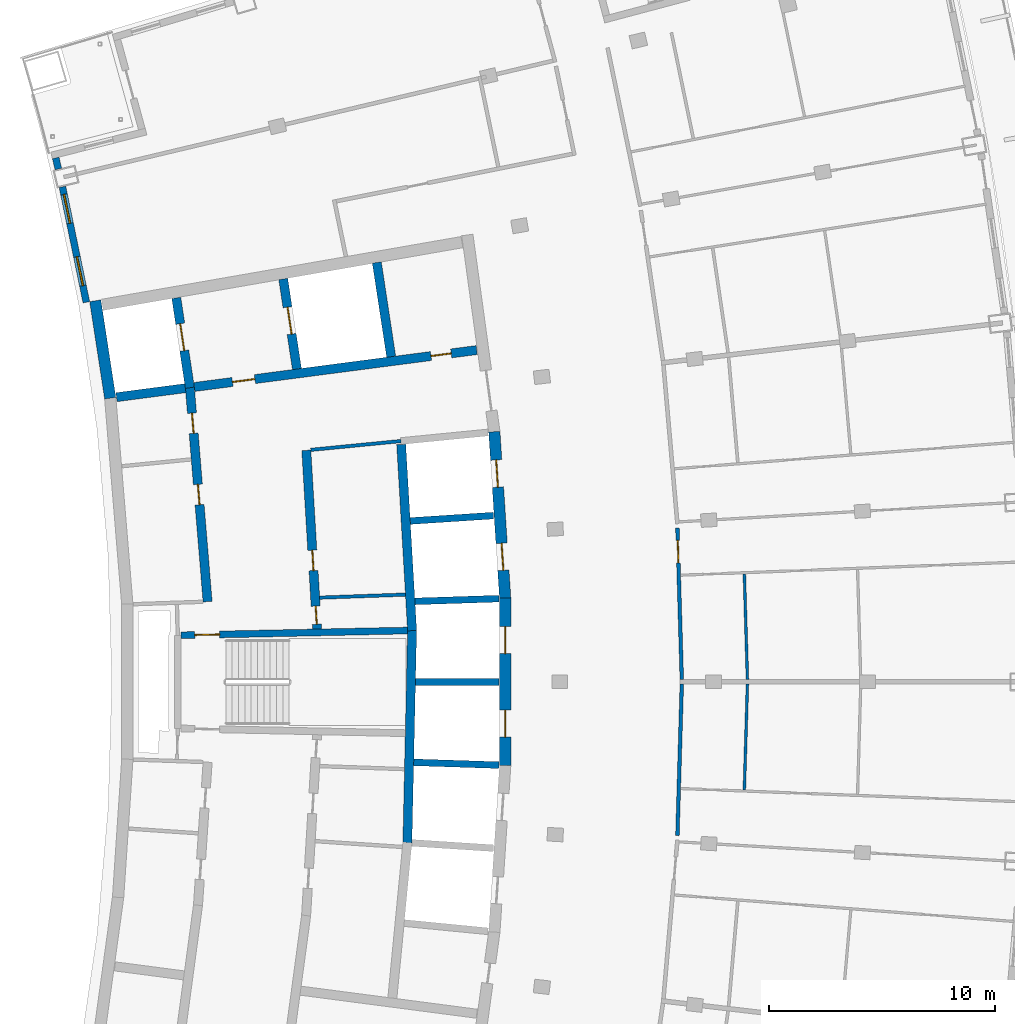
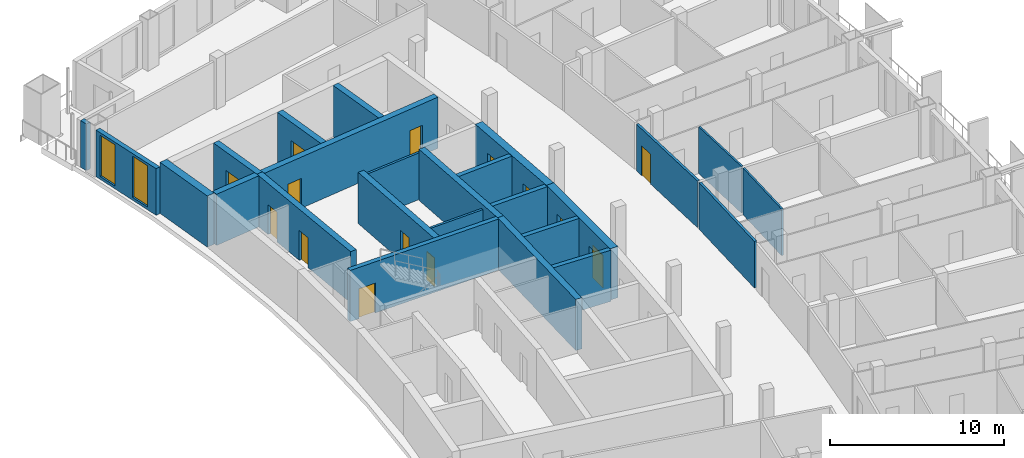
# One storey, part 10 of 17: 25 walls, 14 doors, 2 windows, 16 openings.
"""IFC4 building model written with IfcOpenShell, lengths in metres."""

from ifc_helpers import new_model, si_unit, direction, frame, frame_2d, origin, place, context, subcontext, project, spatial, rectangle, extrude, material, layer, layer_set, type_object, element, fill, save


model = new_model("IFC4")

# Units and contexts
model_context = context("Model", 3, precision=1e-05, world=origin(), true_north=direction((0.0, 1.0)))
body_context = subcontext(model_context, "Body", "Model", "MODEL_VIEW")
ifc_project = project(units=[si_unit("LENGTHUNIT", "METRE"), si_unit("AREAUNIT", "SQUARE_METRE"), si_unit("VOLUMEUNIT", "CUBIC_METRE"), si_unit("PLANEANGLEUNIT", "RADIAN"), si_unit("MASSUNIT", "GRAM", prefix="KILO")], contexts=[model_context])

# Site, building, storey
site_placement = place(None, origin())
site = spatial("IfcSite", under=ifc_project, at=site_placement, CompositionType="ELEMENT")
building_placement = place(site_placement, origin())
building = spatial("IfcBuilding", under=site, at=building_placement, Name="Alderwake Tower", CompositionType="ELEMENT")
storey_placement = place(building_placement, frame((0.0, 0.0, 270.800048828125)))
storey = spatial("IfcBuildingStorey", under=building, at=storey_placement, Name="L67", CompositionType="ELEMENT", Elevation=270.800048828125)

# Walls
ifc_material_1 = material(Name="Gypsum shaft wall system, rated")
ifc_layer_1 = layer(ifc_material_1, 0.14990234375)
ifc_layer_set_1 = layer_set([ifc_layer_1], Name="Core riser partition 150")
wall_type_1 = type_object("IfcWallType", Name="Core riser partition 150", PredefinedType="PARTITIONING", material=ifc_layer_set_1)
wall_1_placement = place(storey_placement, frame((25.191162109375, 64.723388671875, 0.0), z_axis=(0.0, 0.0, 1.0), x_axis=(0.999373627871, 0.035388584556, 0.0)))
element("IfcWall", 1, at=wall_1_placement, inside=storey, type_object=wall_type_1, Name="CW/L67/PR+37_+86", PredefinedType="PARTITIONING", context=body_context, shape_type="SweptSolid", body=[
    extrude(rectangle(XDim=3.79443359375, YDim=0.14990234375, at=frame_2d((1.897216796875, 0.0))), origin(), (0.0, 0.0, 1.0), 3.280029296875),
])
ifc_material_2 = material(Name="Gypsum shaft wall system, rated")
ifc_layer_2 = layer(ifc_material_2, 0.14990234375)
ifc_layer_set_2 = layer_set([ifc_layer_2], Name="Core room partition 150")
wall_type_2 = type_object("IfcWallType", Name="Core room partition 150", PredefinedType="PARTITIONING", material=ifc_layer_set_2)
wall_2_placement = place(storey_placement, frame((24.799560546875, 71.2548828125, 0.0), z_axis=(0.0, 0.0, 1.0), x_axis=(0.995250000627, 0.097352125046, 0.0)))
element("IfcWall", 2, at=wall_2_placement, inside=storey, type_object=wall_type_2, Name="CW/L67/PR+102_+86", PredefinedType="PARTITIONING", context=body_context, shape_type="SweptSolid", body=[
    extrude(rectangle(XDim=4.0, YDim=0.14990234375, at=frame_2d((2.0, 0.0))), origin(), (0.0, 0.0, 1.0), 3.280029296875),
])
ifc_material_3 = material(Name="Concrete C70/85", Category="concrete")
ifc_layer_3 = layer(ifc_material_3, 0.5)
ifc_layer_set_3 = layer_set([ifc_layer_3], Name="Core wall outer 500 C70-85")
wall_type_3 = type_object("IfcWallType", Name="Core wall outer 500 C70-85", PredefinedType="SHEAR", material=ifc_layer_set_3)
wall_3_placement = place(storey_placement, frame((15.934326171875, 73.5380859375, 0.0), z_axis=(0.0, 0.0, 1.0), x_axis=(-0.151947718368, 0.988388532351, 0.0)))
element("IfcWall", 3, at=wall_3_placement, inside=storey, type_object=wall_type_3, Name="Core wall CW.025", PredefinedType="SHEAR", context=body_context, shape_type="SweptSolid", body=[
    extrude(rectangle(XDim=4.357421875, YDim=0.5, at=frame_2d((2.1787109375, 0.0))), origin(), (0.0, 0.0, 1.0), 3.599853515625),
])

# Wall, openings, doors
wall_4_placement = place(storey_placement, frame((33.389892578125, 57.30322265625, 0.0), z_axis=(0.0, 0.0, 1.0), x_axis=(0.0, 1.0, 0.0)))
wall_4 = element("IfcWall", 4, at=wall_4_placement, inside=storey, type_object=wall_type_3, Name="Core wall CW.023", PredefinedType="SHEAR", context=body_context, shape_type="SweptSolid", body=[
    extrude(rectangle(XDim=7.3935546875, YDim=0.5, at=frame_2d((3.69677734375, 0.0))), origin(), (0.0, 0.0, 1.0), 3.599853515625),
])
opening_1_placement = place(wall_4_placement, frame((1.25244140625, 0.0, 0.0)))
opening_1 = element("IfcOpeningElement", 5, at=opening_1_placement, cuts=wall_4, Name="Opening LD-HP3", PredefinedType="OPENING", context=body_context, shape_type="SweptSolid", body=[
    extrude(rectangle(XDim=1.199951171875, YDim=2.300048828125, at=frame_2d((0.60009765625, 1.14990234375))), frame((0.0, 0.260009765625, 0.0), z_axis=(0.0, -1.0, 0.0), x_axis=(1.0, 0.0, 0.0)), (0.0, 0.0, 1.0), 0.52001953125),
])
opening_2_placement = place(wall_4_placement, frame((4.94091796875, 0.0, 0.0)))
opening_2 = element("IfcOpeningElement", 6, at=opening_2_placement, cuts=wall_4, Name="Opening LD-HP4", PredefinedType="OPENING", context=body_context, shape_type="SweptSolid", body=[
    extrude(rectangle(XDim=1.199951171875, YDim=2.300048828125, at=frame_2d((0.60009765625, 1.14990234375))), frame((0.0, 0.260009765625, 0.0), z_axis=(0.0, -1.0, 0.0), x_axis=(1.0, 0.0, 0.0)), (0.0, 0.0, 1.0), 0.52001953125),
])
ifc_material_4 = material(Name="Stainless steel sliding leaf", Category="steel")
door_type_1 = type_object("IfcDoorType", Name="Lift landing door 1200", OperationType="SLIDING_TO_LEFT", PredefinedType="DOOR", material=ifc_material_4)
door_1_placement = place(opening_1_placement, origin())
door_1 = element("IfcDoor", 7, at=door_1_placement, inside=storey, type_object=door_type_1, Name="Lift landing door HP3", OperationType="SLIDING_TO_LEFT", OverallHeight=2.300048828125, OverallWidth=1.199951171875, PredefinedType="DOOR", context=body_context, shape_type="SweptSolid", body=[
    extrude(rectangle(XDim=1.199951171875, YDim=2.300048828125, at=frame_2d((0.60009765625, 1.14990234375))), frame((0.0, 0.02490234375, 0.0), z_axis=(0.0, -1.0, 0.0), x_axis=(1.0, 0.0, 0.0)), (0.0, 0.0, 1.0), 0.050048828125),
])
fill(opening_1, door_1)
door_2_placement = place(opening_2_placement, origin())
door_2 = element("IfcDoor", 8, at=door_2_placement, inside=storey, type_object=door_type_1, Name="Lift landing door HP4", OperationType="SLIDING_TO_LEFT", OverallHeight=2.300048828125, OverallWidth=1.199951171875, PredefinedType="DOOR", context=body_context, shape_type="SweptSolid", body=[
    extrude(rectangle(XDim=1.199951171875, YDim=2.300048828125, at=frame_2d((0.60009765625, 1.14990234375))), frame((0.0, 0.02490234375, 0.0), z_axis=(0.0, -1.0, 0.0), x_axis=(1.0, 0.0, 0.0)), (0.0, 0.0, 1.0), 0.050048828125),
])
fill(opening_2, door_2)

wall_5_placement = place(storey_placement, frame((33.390625, 64.679443359375, 0.0), z_axis=(0.0, 0.0, 1.0), x_axis=(-0.064980500916, 0.997886533881, 0.0)))
wall_5 = element("IfcWall", 9, at=wall_5_placement, inside=storey, type_object=wall_type_3, Name="Core wall CW.020", PredefinedType="SHEAR", context=body_context, shape_type="SweptSolid", body=[
    extrude(rectangle(XDim=7.39404296875, YDim=0.5, at=frame_2d((3.697021484375, 0.0))), origin(), (0.0, 0.0, 1.0), 3.599853515625),
])
opening_3_placement = place(wall_5_placement, frame((1.25244140625, 0.0, 0.0)))
opening_3 = element("IfcOpeningElement", 10, at=opening_3_placement, cuts=wall_5, Name="Opening LD-HP5", PredefinedType="OPENING", context=body_context, shape_type="SweptSolid", body=[
    extrude(rectangle(XDim=1.199951171875, YDim=2.300048828125, at=frame_2d((0.60009765625, 1.14990234375))), frame((0.0, 0.260009765625, 0.0), z_axis=(0.0, -1.0, 0.0), x_axis=(1.0, 0.0, 0.0)), (0.0, 0.0, 1.0), 0.52001953125),
])
opening_4_placement = place(wall_5_placement, frame((4.94091796875, 0.0, 0.0)))
opening_4 = element("IfcOpeningElement", 11, at=opening_4_placement, cuts=wall_5, Name="Opening LD-HP6", PredefinedType="OPENING", context=body_context, shape_type="SweptSolid", body=[
    extrude(rectangle(XDim=1.199951171875, YDim=2.300048828125, at=frame_2d((0.60009765625, 1.14990234375))), frame((0.0, 0.260009765625, 0.0), z_axis=(0.0, -1.0, 0.0), x_axis=(1.0, 0.0, 0.0)), (0.0, 0.0, 1.0), 0.52001953125),
])
door_3_placement = place(opening_3_placement, origin())
door_3 = element("IfcDoor", 12, at=door_3_placement, inside=storey, type_object=door_type_1, Name="Lift landing door HP5", OperationType="SLIDING_TO_LEFT", OverallHeight=2.300048828125, OverallWidth=1.199951171875, PredefinedType="DOOR", context=body_context, shape_type="SweptSolid", body=[
    extrude(rectangle(XDim=1.199951171875, YDim=2.300048828125, at=frame_2d((0.60009765625, 1.14990234375))), frame((0.0, 0.02490234375, 0.0), z_axis=(0.0, -1.0, 0.0), x_axis=(1.0, 0.0, 0.0)), (0.0, 0.0, 1.0), 0.050048828125),
])
fill(opening_3, door_3)
door_4_placement = place(opening_4_placement, origin())
door_4 = element("IfcDoor", 13, at=door_4_placement, inside=storey, type_object=door_type_1, Name="Lift landing door HP6", OperationType="SLIDING_TO_LEFT", OverallHeight=2.300048828125, OverallWidth=1.199951171875, PredefinedType="DOOR", context=body_context, shape_type="SweptSolid", body=[
    extrude(rectangle(XDim=1.199951171875, YDim=2.300048828125, at=frame_2d((0.60009765625, 1.14990234375))), frame((0.0, 0.02490234375, 0.0), z_axis=(0.0, -1.0, 0.0), x_axis=(1.0, 0.0, 0.0)), (0.0, 0.0, 1.0), 0.050048828125),
])
fill(opening_4, door_4)

# Walls
ifc_material_5 = material(Name="Concrete C70/85", Category="concrete")
ifc_layer_4 = layer(ifc_material_5, 0.300048828125)
ifc_layer_set_4 = layer_set([ifc_layer_4], Name="Core wall shaft 300 C70-85")
wall_type_4 = type_object("IfcWallType", Name="Core wall shaft 300 C70-85", PredefinedType="SHEAR", material=ifc_layer_set_4)
wall_6_placement = place(storey_placement, frame((29.347412109375, 57.443603515625, 0.0), z_axis=(0.0, 0.0, 1.0), x_axis=(0.99946995342, -0.032554757112, 0.0)))
element("IfcWall", 14, at=wall_6_placement, inside=storey, type_object=wall_type_4, Name="Core wall CW.075", PredefinedType="SHEAR", context=body_context, shape_type="SweptSolid", body=[
    extrude(rectangle(XDim=3.7646484375, YDim=0.300048828125, at=frame_2d((1.88232421875, 0.0))), origin(), (0.0, 0.0, 1.0), 3.599853515625),
])
wall_7_placement = place(storey_placement, frame((29.426025390625, 61.0, 0.0), z_axis=(0.0, 0.0, 1.0), x_axis=(1.0, 0.0, 0.0)))
element("IfcWall", 15, at=wall_7_placement, inside=storey, type_object=wall_type_4, Name="Core wall CW.048", PredefinedType="SHEAR", context=body_context, shape_type="SweptSolid", body=[
    extrude(rectangle(XDim=3.68408203125, YDim=0.300048828125, at=frame_2d((1.842041015625, 0.0))), origin(), (0.0, 0.0, 1.0), 3.599853515625),
])
wall_8_placement = place(storey_placement, frame((29.401611328125, 64.558349609375, 0.0), z_axis=(0.0, 0.0, 1.0), x_axis=(0.99947159852, 0.032504211301, 0.0)))
element("IfcWall", 16, at=wall_8_placement, inside=storey, type_object=wall_type_4, Name="Core wall CW.058", PredefinedType="SHEAR", context=body_context, shape_type="SweptSolid", body=[
    extrude(rectangle(XDim=3.71044921875, YDim=0.300048828125, at=frame_2d((1.855224609375, 0.0))), origin(), (0.0, 0.0, 1.0), 3.599853515625),
])
wall_9_placement = place(storey_placement, frame((29.193603515625, 68.110595703125, 0.0), z_axis=(0.0, 0.0, 1.0), x_axis=(0.997885994006, 0.064988791085, 0.0)))
element("IfcWall", 17, at=wall_9_placement, inside=storey, type_object=wall_type_4, Name="Core wall CW.061", PredefinedType="SHEAR", context=body_context, shape_type="SweptSolid", body=[
    extrude(rectangle(XDim=3.685302734375, YDim=0.300048828125, at=frame_2d((1.8427734375, 0.0))), origin(), (0.0, 0.0, 1.0), 3.599853515625),
])

# Wall, openings, doors
ifc_material_6 = material(Name="Concrete C70/85", Category="concrete")
ifc_layer_5 = layer(ifc_material_6, 0.39990234375)
ifc_layer_set_5 = layer_set([ifc_layer_5], Name="Core wall spine 400 C70-85")
wall_type_5 = type_object("IfcWallType", Name="Core wall spine 400 C70-85", PredefinedType="SHEAR", material=ifc_layer_set_5)
wall_10_placement = place(storey_placement, frame((19.452392578125, 74.014892578125, 0.0), z_axis=(0.0, 0.0, 1.0), x_axis=(0.082628585297, -0.996580411654, 0.0)))
wall_10 = element("IfcWall", 18, at=wall_10_placement, inside=storey, type_object=wall_type_5, Name="Core wall CW.031", PredefinedType="SHEAR", context=body_context, shape_type="SweptSolid", body=[
    extrude(rectangle(XDim=9.499267578125, YDim=0.39990234375, at=frame_2d((4.74951171875, 0.0))), origin(), (0.0, 0.0, 1.0), 3.599853515625),
])
opening_5_placement = place(wall_10_placement, frame((4.30322265625, 0.0, 0.0)))
opening_5 = element("IfcOpeningElement", 19, at=opening_5_placement, cuts=wall_10, Name="Opening C052", PredefinedType="OPENING", context=body_context, shape_type="SweptSolid", body=[
    extrude(rectangle(XDim=0.89990234375, YDim=2.10009765625, at=frame_2d((0.449951171875, 1.050048828125))), frame((0.0, 0.2099609375, 0.0), z_axis=(0.0, -1.0, 0.0), x_axis=(1.0, 0.0, 0.0)), (0.0, 0.0, 1.0), 0.419921875),
])
opening_6_placement = place(wall_10_placement, frame((1.138671875, 0.0, 0.0)))
opening_6 = element("IfcOpeningElement", 20, at=opening_6_placement, cuts=wall_10, Name="Opening C056", PredefinedType="OPENING", context=body_context, shape_type="SweptSolid", body=[
    extrude(rectangle(XDim=0.89990234375, YDim=2.10009765625, at=frame_2d((0.449951171875, 1.050048828125))), frame((0.0, 0.2099609375, 0.0), z_axis=(0.0, -1.0, 0.0), x_axis=(1.0, 0.0, 0.0)), (0.0, 0.0, 1.0), 0.419921875),
])
ifc_material_7 = material(Name="Painted steel leaf", Category="steel")
door_type_2 = type_object("IfcDoorType", Name="Core room door 900", OperationType="SINGLE_SWING_LEFT", PredefinedType="DOOR", material=ifc_material_7)
door_5_placement = place(opening_5_placement, origin())
door_5 = element("IfcDoor", 21, at=door_5_placement, inside=storey, type_object=door_type_2, Name="Room door", OperationType="SINGLE_SWING_LEFT", OverallHeight=2.10009765625, OverallWidth=0.89990234375, PredefinedType="DOOR", context=body_context, shape_type="SweptSolid", body=[
    extrude(rectangle(XDim=0.89990234375, YDim=2.10009765625, at=frame_2d((0.449951171875, 1.050048828125))), frame((0.0, 0.02490234375, 0.0), z_axis=(0.0, -1.0, 0.0), x_axis=(1.0, 0.0, 0.0)), (0.0, 0.0, 1.0), 0.050048828125),
])
fill(opening_5, door_5)
door_6_placement = place(opening_6_placement, origin())
door_6 = element("IfcDoor", 22, at=door_6_placement, inside=storey, type_object=door_type_2, Name="Room door", OperationType="SINGLE_SWING_RIGHT", OverallHeight=2.10009765625, OverallWidth=0.89990234375, PredefinedType="DOOR", context=body_context, shape_type="SweptSolid", body=[
    extrude(rectangle(XDim=0.89990234375, YDim=2.10009765625, at=frame_2d((0.449951171875, 1.050048828125))), frame((0.0, 0.02490234375, 0.0), z_axis=(0.0, -1.0, 0.0), x_axis=(1.0, 0.0, 0.0)), (0.0, 0.0, 1.0), 0.050048828125),
])
fill(opening_6, door_6)

# Wall, opening, door
wall_11_placement = place(storey_placement, frame((19.4541015625, 74.00048828125, 0.0), z_axis=(0.0, 0.0, 1.0), x_axis=(-0.149461330246, 0.988767571657, 0.0)))
wall_11 = element("IfcWall", 23, at=wall_11_placement, inside=storey, type_object=wall_type_5, Name="Core wall CW.030", PredefinedType="SHEAR", context=body_context, shape_type="SweptSolid", body=[
    extrude(rectangle(XDim=4.01513671875, YDim=0.39990234375, at=frame_2d((2.007568359375, 0.0))), origin(), (0.0, 0.0, 1.0), 3.599853515625),
])
opening_7_placement = place(wall_11_placement, frame((1.6611328125, 0.0, 0.0)))
opening_7 = element("IfcOpeningElement", 24, at=opening_7_placement, cuts=wall_11, Name="Opening LD-FF1", PredefinedType="OPENING", context=body_context, shape_type="SweptSolid", body=[
    extrude(rectangle(XDim=1.199951171875, YDim=2.300048828125, at=frame_2d((0.60009765625, 1.14990234375))), frame((0.0, 0.2099609375, 0.0), z_axis=(0.0, -1.0, 0.0), x_axis=(1.0, 0.0, 0.0)), (0.0, 0.0, 1.0), 0.419921875),
])
door_7_placement = place(opening_7_placement, origin())
door_7 = element("IfcDoor", 25, at=door_7_placement, inside=storey, type_object=door_type_1, Name="Lift landing door FF1", OperationType="SLIDING_TO_LEFT", OverallHeight=2.300048828125, OverallWidth=1.199951171875, PredefinedType="DOOR", context=body_context, shape_type="SweptSolid", body=[
    extrude(rectangle(XDim=1.199951171875, YDim=2.300048828125, at=frame_2d((0.60009765625, 1.14990234375))), frame((0.0, 0.02490234375, 0.0), z_axis=(0.0, -1.0, 0.0), x_axis=(1.0, 0.0, 0.0)), (0.0, 0.0, 1.0), 0.050048828125),
])
fill(opening_7, door_7)

# Wall, openings, doors
wall_12_placement = place(storey_placement, frame((25.073974609375, 63.335693359375, 0.0), z_axis=(0.0, 0.0, 1.0), x_axis=(-0.059848641072, 0.998207463487, 0.0)))
wall_12 = element("IfcWall", 26, at=wall_12_placement, inside=storey, type_object=wall_type_5, Name="Core wall CW.045", PredefinedType="SHEAR", context=body_context, shape_type="SweptSolid", body=[
    extrude(rectangle(XDim=7.913818359375, YDim=0.39990234375, at=frame_2d((3.95703125, 0.0))), origin(), (0.0, 0.0, 1.0), 3.599853515625),
])
opening_8_placement = place(wall_12_placement, frame((0.216064453125, 0.0, 0.0)))
opening_8 = element("IfcOpeningElement", 27, at=opening_8_placement, cuts=wall_12, Name="Opening C005", PredefinedType="OPENING", context=body_context, shape_type="SweptSolid", body=[
    extrude(rectangle(XDim=0.800048828125, YDim=2.0, at=frame_2d((0.39990234375, 1.0))), frame((0.0, 0.2099609375, 0.0), z_axis=(0.0, -1.0, 0.0), x_axis=(1.0, 0.0, 0.0)), (0.0, 0.0, 1.0), 0.419921875),
])
opening_9_placement = place(wall_12_placement, frame((2.590087890625, 0.0, 0.0)))
opening_9 = element("IfcOpeningElement", 28, at=opening_9_placement, cuts=wall_12, Name="Opening C057", PredefinedType="OPENING", context=body_context, shape_type="SweptSolid", body=[
    extrude(rectangle(XDim=0.89990234375, YDim=2.10009765625, at=frame_2d((0.449951171875, 1.050048828125))), frame((0.0, 0.2099609375, 0.0), z_axis=(0.0, -1.0, 0.0), x_axis=(1.0, 0.0, 0.0)), (0.0, 0.0, 1.0), 0.419921875),
])
door_8_placement = place(opening_9_placement, origin())
door_8 = element("IfcDoor", 29, at=door_8_placement, inside=storey, type_object=door_type_2, Name="Room door", OperationType="SINGLE_SWING_LEFT", OverallHeight=2.10009765625, OverallWidth=0.89990234375, PredefinedType="DOOR", context=body_context, shape_type="SweptSolid", body=[
    extrude(rectangle(XDim=0.89990234375, YDim=2.10009765625, at=frame_2d((0.449951171875, 1.050048828125))), frame((0.0, 0.02490234375, 0.0), z_axis=(0.0, -1.0, 0.0), x_axis=(1.0, 0.0, 0.0)), (0.0, 0.0, 1.0), 0.050048828125),
])
fill(opening_9, door_8)
ifc_material_8 = material(Name="Painted steel leaf, rated", Category="steel")
door_type_3 = type_object("IfcDoorType", Name="Riser access door 800", OperationType="SINGLE_SWING_LEFT", PredefinedType="DOOR", material=ifc_material_8)
door_9_placement = place(opening_8_placement, origin())
door_9 = element("IfcDoor", 30, at=door_9_placement, inside=storey, type_object=door_type_3, Name="Riser access door", OperationType="SINGLE_SWING_LEFT", OverallHeight=2.0, OverallWidth=0.800048828125, PredefinedType="DOOR", context=body_context, shape_type="SweptSolid", body=[
    extrude(rectangle(XDim=0.800048828125, YDim=2.0, at=frame_2d((0.39990234375, 1.0))), frame((0.0, 0.02490234375, 0.0), z_axis=(0.0, -1.0, 0.0), x_axis=(1.0, 0.0, 0.0)), (0.0, 0.0, 1.0), 0.050048828125),
])
fill(opening_8, door_9)

# Wall, opening, door
wall_13_placement = place(storey_placement, frame((24.186279296875, 74.82861328125, 0.0), z_axis=(0.0, 0.0, 1.0), x_axis=(-0.150547717109, 0.988602743711, 0.0)))
wall_13 = element("IfcWall", 31, at=wall_13_placement, inside=storey, type_object=wall_type_5, Name="Core wall CW.044", PredefinedType="SHEAR", context=body_context, shape_type="SweptSolid", body=[
    extrude(rectangle(XDim=4.0234375, YDim=0.39990234375, at=frame_2d((2.01171875, 0.0))), origin(), (0.0, 0.0, 1.0), 3.599853515625),
])
opening_10_placement = place(wall_13_placement, frame((1.561767578125, 0.0, 0.0)))
opening_10 = element("IfcOpeningElement", 32, at=opening_10_placement, cuts=wall_13, Name="Opening LD-FF2", PredefinedType="OPENING", context=body_context, shape_type="SweptSolid", body=[
    extrude(rectangle(XDim=1.199951171875, YDim=2.300048828125, at=frame_2d((0.60009765625, 1.14990234375))), frame((0.0, 0.2099609375, 0.0), z_axis=(0.0, -1.0, 0.0), x_axis=(1.0, 0.0, 0.0)), (0.0, 0.0, 1.0), 0.419921875),
])
door_10_placement = place(opening_10_placement, origin())
door_10 = element("IfcDoor", 33, at=door_10_placement, inside=storey, type_object=door_type_1, Name="Lift landing door FF2", OperationType="SLIDING_TO_LEFT", OverallHeight=2.300048828125, OverallWidth=1.199951171875, PredefinedType="DOOR", context=body_context, shape_type="SweptSolid", body=[
    extrude(rectangle(XDim=1.199951171875, YDim=2.300048828125, at=frame_2d((0.60009765625, 1.14990234375))), frame((0.0, 0.02490234375, 0.0), z_axis=(0.0, -1.0, 0.0), x_axis=(1.0, 0.0, 0.0)), (0.0, 0.0, 1.0), 0.050048828125),
])
fill(opening_10, door_10)

# Walls
wall_14_placement = place(storey_placement, frame((29.06884765625, 53.8896484375, 0.0), z_axis=(0.0, 0.0, 1.0), x_axis=(0.022115722908, 0.99975541749, 0.0)))
element("IfcWall", 34, at=wall_14_placement, inside=storey, type_object=wall_type_5, Name="Core wall CW.008", PredefinedType="SHEAR", context=body_context, shape_type="SweptSolid", body=[
    extrude(rectangle(XDim=9.394287109375, YDim=0.39990234375, at=frame_2d((4.697265625, 0.0))), origin(), (0.0, 0.0, 1.0), 3.599853515625),
])
wall_15_placement = place(storey_placement, frame((29.27685546875, 63.2646484375, 0.0), z_axis=(0.0, 0.0, 1.0), x_axis=(-0.0584546922, 0.998290062537, 0.0)))
element("IfcWall", 35, at=wall_15_placement, inside=storey, type_object=wall_type_5, Name="Core wall CW.002", PredefinedType="SHEAR", context=body_context, shape_type="SweptSolid", body=[
    extrude(rectangle(XDim=8.24462890625, YDim=0.39990234375, at=frame_2d((4.122314453125, 0.0))), origin(), (0.0, 0.0, 1.0), 3.599853515625),
])
wall_16_placement = place(storey_placement, frame((28.350830078125, 75.373291015625, 0.0), z_axis=(0.0, 0.0, 1.0), x_axis=(-0.150576223774, 0.988598402201, 0.0)))
element("IfcWall", 36, at=wall_16_placement, inside=storey, type_object=wall_type_5, Name="Core wall CW.001", PredefinedType="SHEAR", context=body_context, shape_type="SweptSolid", body=[
    extrude(rectangle(XDim=4.21240234375, YDim=0.39990234375, at=frame_2d((2.106201171875, 0.0))), origin(), (0.0, 0.0, 1.0), 3.599853515625),
])
wall_17_placement = place(storey_placement, frame((16.210693359375, 73.583740234375, 0.0), z_axis=(0.0, 0.0, 1.0), x_axis=(0.991560893257, 0.129641794819, 0.0)))
element("IfcWall", 37, at=wall_17_placement, inside=storey, type_object=wall_type_5, Name="Core wall CW.051", PredefinedType="SHEAR", context=body_context, shape_type="SweptSolid", body=[
    extrude(rectangle(XDim=3.069580078125, YDim=0.39990234375, at=frame_2d((1.53466796875, 0.0))), origin(), (0.0, 0.0, 1.0), 3.599853515625),
])

# Wall, openings, doors
wall_18_placement = place(storey_placement, frame((32.132080078125, 75.666015625, 0.0), z_axis=(0.0, 0.0, 1.0), x_axis=(-0.991555139901, -0.129685791576, 0.0)))
wall_18 = element("IfcWall", 38, at=wall_18_placement, inside=storey, type_object=wall_type_5, Name="Core wall CW.052", PredefinedType="SHEAR", context=body_context, shape_type="SweptSolid", body=[
    extrude(rectangle(XDim=12.586669921875, YDim=0.39990234375, at=frame_2d((6.29345703125, 0.0))), origin(), (0.0, 0.0, 1.0), 3.599853515625),
])
opening_11_placement = place(wall_18_placement, frame((9.88720703125, 0.0, 0.0)))
opening_11 = element("IfcOpeningElement", 39, at=opening_11_placement, cuts=wall_18, Name="Opening C002", PredefinedType="OPENING", context=body_context, shape_type="SweptSolid", body=[
    extrude(rectangle(XDim=1.0, YDim=2.10009765625, at=frame_2d((0.5, 1.050048828125))), frame((0.0, 0.2099609375, 0.0), z_axis=(0.0, -1.0, 0.0), x_axis=(1.0, 0.0, 0.0)), (0.0, 0.0, 1.0), 0.419921875),
])
opening_12_placement = place(wall_18_placement, frame((1.13720703125, 0.0, 0.0)))
opening_12 = element("IfcOpeningElement", 40, at=opening_12_placement, cuts=wall_18, Name="Opening C020", PredefinedType="OPENING", context=body_context, shape_type="SweptSolid", body=[
    extrude(rectangle(XDim=0.89990234375, YDim=2.10009765625, at=frame_2d((0.449951171875, 1.050048828125))), frame((0.0, 0.2099609375, 0.0), z_axis=(0.0, -1.0, 0.0), x_axis=(1.0, 0.0, 0.0)), (0.0, 0.0, 1.0), 0.419921875),
])
door_11_placement = place(opening_12_placement, origin())
door_11 = element("IfcDoor", 41, at=door_11_placement, inside=storey, type_object=door_type_2, Name="Room door", OperationType="SINGLE_SWING_LEFT", OverallHeight=2.10009765625, OverallWidth=0.89990234375, PredefinedType="DOOR", context=body_context, shape_type="SweptSolid", body=[
    extrude(rectangle(XDim=0.89990234375, YDim=2.10009765625, at=frame_2d((0.449951171875, 1.050048828125))), frame((0.0, 0.02490234375, 0.0), z_axis=(0.0, -1.0, 0.0), x_axis=(1.0, 0.0, 0.0)), (0.0, 0.0, 1.0), 0.050048828125),
])
fill(opening_12, door_11)
ifc_material_9 = material(Name="Steel-framed fire door leaf", Category="steel")
door_type_4 = type_object("IfcDoorType", Name="Firefighting lobby door 1000 fire-rated", OperationType="SINGLE_SWING_LEFT", PredefinedType="DOOR", material=ifc_material_9)
door_12_placement = place(opening_11_placement, origin())
door_12 = element("IfcDoor", 42, at=door_12_placement, inside=storey, type_object=door_type_4, Name="Firefighting lobby door", OperationType="SINGLE_SWING_RIGHT", OverallHeight=2.10009765625, OverallWidth=1.0, PredefinedType="DOOR", context=body_context, shape_type="SweptSolid", body=[
    extrude(rectangle(XDim=1.0, YDim=2.10009765625, at=frame_2d((0.5, 1.050048828125))), frame((0.0, 0.02490234375, 0.0), z_axis=(0.0, -1.0, 0.0), x_axis=(1.0, 0.0, 0.0)), (0.0, 0.0, 1.0), 0.050048828125),
])
fill(opening_11, door_12)

# Wall, opening, door
ifc_material_10 = material(Name="Concrete C70/85", Category="concrete")
ifc_layer_6 = layer(ifc_material_10, 0.300048828125)
ifc_layer_set_6 = layer_set([ifc_layer_6], Name="Core wall stair enclosure 300 C70-85")
wall_type_6 = type_object("IfcWallType", Name="Core wall stair enclosure 300 C70-85", PredefinedType="SHEAR", material=ifc_layer_set_6)
wall_19_placement = place(storey_placement, frame((19.068603515625, 63.060791015625, 0.0), z_axis=(0.0, 0.0, 1.0), x_axis=(0.999783553773, 0.02080494185, 0.0)))
wall_19 = element("IfcWall", 43, at=wall_19_placement, inside=storey, type_object=wall_type_6, Name="Core wall CW.057", PredefinedType="SHEAR", context=body_context, shape_type="SweptSolid", body=[
    extrude(rectangle(XDim=10.009765625, YDim=0.300048828125, at=frame_2d((5.0048828125, 0.0))), origin(), (0.0, 0.0, 1.0), 3.599853515625),
])
opening_13_placement = place(wall_19_placement, frame((0.60009765625, 0.0, 0.0)))
opening_13 = element("IfcOpeningElement", 44, at=opening_13_placement, cuts=wall_19, Name="Opening C064", PredefinedType="OPENING", context=body_context, shape_type="SweptSolid", body=[
    extrude(rectangle(XDim=1.10009765625, YDim=2.10009765625, at=frame_2d((0.550048828125, 1.050048828125))), frame((0.0, 0.159912109375, 0.0), z_axis=(0.0, -1.0, 0.0), x_axis=(1.0, 0.0, 0.0)), (0.0, 0.0, 1.0), 0.320068359375),
])
ifc_material_11 = material(Name="Steel-framed fire door leaf", Category="steel")
door_type_5 = type_object("IfcDoorType", Name="Core stair door 1100 fire-rated", OperationType="SINGLE_SWING_LEFT", PredefinedType="DOOR", material=ifc_material_11)
door_13_placement = place(opening_13_placement, origin())
door_13 = element("IfcDoor", 45, at=door_13_placement, inside=storey, type_object=door_type_5, Name="Stair door", OperationType="SINGLE_SWING_RIGHT", OverallHeight=2.10009765625, OverallWidth=1.10009765625, PredefinedType="DOOR", context=body_context, shape_type="SweptSolid", body=[
    extrude(rectangle(XDim=1.10009765625, YDim=2.10009765625, at=frame_2d((0.550048828125, 1.050048828125))), frame((0.0, 0.02490234375, 0.0), z_axis=(0.0, -1.0, 0.0), x_axis=(1.0, 0.0, 0.0)), (0.0, 0.0, 1.0), 0.050048828125),
])
fill(opening_13, door_13)

# Wall
ifc_material_12 = material(Name="Gypsum board on metal studs, rated")
ifc_layer_7 = layer(ifc_material_12, 0.159912109375)
ifc_layer_set_7 = layer_set([ifc_layer_7], Name="Corridor wall 160")
wall_type_7 = type_object("IfcWallType", Name="Corridor wall 160", PredefinedType="PARTITIONING", material=ifc_layer_set_7)
wall_20_placement = place(storey_placement, frame((41.002685546875, 54.20068359375, 0.0), z_axis=(0.0, 0.0, 1.0), x_axis=(0.028855161601, 0.999583603131, 0.0)))
element("IfcWall", 46, at=wall_20_placement, inside=storey, type_object=wall_type_7, Name="WL/L67/W23", PredefinedType="PARTITIONING", context=body_context, shape_type="SweptSolid", body=[
    extrude(rectangle(XDim=6.700927734375, YDim=0.159912109375, at=frame_2d((3.3505859375, 0.0))), origin(), (0.0, 0.0, 1.0), 3.280029296875),
])

# Wall, opening, door
wall_21_placement = place(storey_placement, frame((41.002685546875, 67.80029296875, 0.0), z_axis=(0.0, 0.0, 1.0), x_axis=(0.0288425569, -0.999583966914, 0.0)))
wall_21 = element("IfcWall", 47, at=wall_21_placement, inside=storey, type_object=wall_type_7, Name="WL/L67/W25", PredefinedType="PARTITIONING", context=body_context, shape_type="SweptSolid", body=[
    extrude(rectangle(XDim=6.703857421875, YDim=0.159912109375, at=frame_2d((3.35205078125, 0.0))), origin(), (0.0, 0.0, 1.0), 3.280029296875),
])
opening_14_placement = place(wall_21_placement, frame((0.54541015625, 0.0, 0.0)))
opening_14 = element("IfcOpeningElement", 48, at=opening_14_placement, cuts=wall_21, Name="Opening R19-U05.2", PredefinedType="OPENING", context=body_context, shape_type="SweptSolid", body=[
    extrude(rectangle(XDim=1.0, YDim=2.10009765625, at=frame_2d((0.5, 1.050048828125))), frame((0.0, 0.08984375, 0.0), z_axis=(0.0, -1.0, 0.0), x_axis=(1.0, 0.0, 0.0)), (0.0, 0.0, 1.0), 0.179931640625),
])
ifc_material_13 = material(Name="Solid timber leaf in steel frame", Category="steel")
door_type_6 = type_object("IfcDoorType", Name="Flat entrance door 1000 fire-rated", OperationType="SINGLE_SWING_LEFT", PredefinedType="DOOR", material=ifc_material_13)
door_14_placement = place(opening_14_placement, origin())
door_14 = element("IfcDoor", 49, at=door_14_placement, inside=storey, type_object=door_type_6, Name="DR/L67/U05.2", OperationType="SINGLE_SWING_LEFT", OverallHeight=2.10009765625, OverallWidth=1.0, PredefinedType="DOOR", context=body_context, shape_type="SweptSolid", body=[
    extrude(rectangle(XDim=1.0, YDim=2.10009765625, at=frame_2d((0.5, 1.050048828125))), frame((0.0, 0.02490234375, 0.0), z_axis=(0.0, -1.0, 0.0), x_axis=(1.0, 0.0, 0.0)), (0.0, 0.0, 1.0), 0.050048828125),
])
fill(opening_14, door_14)

# Wall
ifc_material_14 = material(Name="Precast concrete C50/60 spandrel panel", Category="concrete")
ifc_layer_8 = layer(ifc_material_14, 0.300048828125)
ifc_layer_set_8 = layer_set([ifc_layer_8], Name="External wall EW1 Precast concrete C50/60 spandrel")
wall_type_8 = type_object("IfcWallType", Name="External wall EW1 Precast concrete C50/60 spandrel", PredefinedType="SOLIDWALL", material=ifc_layer_set_8)
wall_22_placement = place(storey_placement, frame((13.523193359375, 84.1572265625, 0.0), z_axis=(0.0, 0.0, 1.0), x_axis=(0.238653145818, -0.971104873838, 0.0)))
element("IfcWall", 50, at=wall_22_placement, inside=storey, type_object=wall_type_8, Name="External wall 30", PredefinedType="SOLIDWALL", context=body_context, shape_type="SweptSolid", body=[
    extrude(rectangle(XDim=0.50341796875, YDim=0.300048828125, at=frame_2d((0.251708984375, 0.0))), origin(), (0.0, 0.0, 1.0), 3.280029296875),
])

# Wall, openings, windows
wall_23_placement = place(storey_placement, frame((13.821533203125, 82.879638671875, 0.0), z_axis=(0.0, 0.0, 1.0), x_axis=(0.202760516883, -0.979228355795, 0.0)))
wall_23 = element("IfcWall", 51, at=wall_23_placement, inside=storey, type_object=wall_type_8, Name="External wall 31", PredefinedType="SOLIDWALL", context=body_context, shape_type="SweptSolid", body=[
    extrude(rectangle(XDim=5.211181640625, YDim=0.300048828125, at=frame_2d((2.60546875, 0.0))), origin(), (0.0, 0.0, 1.0), 3.280029296875),
])
opening_15_placement = place(wall_23_placement, frame((0.342041015625, 0.0, 0.199951171875)))
opening_15 = element("IfcOpeningElement", 52, at=opening_15_placement, cuts=wall_23, Name="Opening W1", PredefinedType="OPENING", context=body_context, shape_type="SweptSolid", body=[
    extrude(rectangle(XDim=1.300048828125, YDim=2.89990234375, at=frame_2d((0.64990234375, 1.449951171875))), frame((0.0, 0.159912109375, 0.0), z_axis=(0.0, -1.0, 0.0), x_axis=(1.0, 0.0, 0.0)), (0.0, 0.0, 1.0), 0.320068359375),
])
opening_16_placement = place(wall_23_placement, frame((3.15478515625, 0.0, 0.199951171875)))
opening_16 = element("IfcOpeningElement", 53, at=opening_16_placement, cuts=wall_23, Name="Opening W1", PredefinedType="OPENING", context=body_context, shape_type="SweptSolid", body=[
    extrude(rectangle(XDim=1.300048828125, YDim=2.89990234375, at=frame_2d((0.64990234375, 1.449951171875))), frame((0.0, 0.159912109375, 0.0), z_axis=(0.0, -1.0, 0.0), x_axis=(1.0, 0.0, 0.0)), (0.0, 0.0, 1.0), 0.320068359375),
])
ifc_material_15 = material(Name="Bronze tinted glass in aluminium frame", Category="aluminium")
window_type = type_object("IfcWindowType", Name="Window W1 tall fixed and vent", PartitioningType="DOUBLE_PANEL_VERTICAL", PredefinedType="WINDOW", material=ifc_material_15)
window_1_placement = place(opening_15_placement, origin())
window_1 = element("IfcWindow", 54, at=window_1_placement, inside=storey, type_object=window_type, Name="Window W1 tall fixed and vent", OverallHeight=2.89990234375, OverallWidth=1.300048828125, PartitioningType="DOUBLE_PANEL_VERTICAL", PredefinedType="WINDOW", context=body_context, shape_type="SweptSolid", body=[
    extrude(rectangle(XDim=1.300048828125, YDim=2.89990234375, at=frame_2d((0.64990234375, 1.449951171875))), frame((0.0, 0.030029296875, 0.0), z_axis=(0.0, -1.0, 0.0), x_axis=(1.0, 0.0, 0.0)), (0.0, 0.0, 1.0), 0.06005859375),
])
fill(opening_15, window_1)
window_2_placement = place(opening_16_placement, origin())
window_2 = element("IfcWindow", 55, at=window_2_placement, inside=storey, type_object=window_type, Name="Window W1 tall fixed and vent", OverallHeight=2.89990234375, OverallWidth=1.300048828125, PartitioningType="DOUBLE_PANEL_VERTICAL", PredefinedType="WINDOW", context=body_context, shape_type="SweptSolid", body=[
    extrude(rectangle(XDim=1.300048828125, YDim=2.89990234375, at=frame_2d((0.64990234375, 1.449951171875))), frame((0.0, 0.030029296875, 0.0), z_axis=(0.0, -1.0, 0.0), x_axis=(1.0, 0.0, 0.0)), (0.0, 0.0, 1.0), 0.06005859375),
])
fill(opening_16, window_2)

# Walls
ifc_material_16 = material(Name="Moisture resistant gypsum board on metal studs")
ifc_layer_9 = layer(ifc_material_16, 0.1201171875)
ifc_layer_set_9 = layer_set([ifc_layer_9], Name="Wet room partition 120")
wall_type_9 = type_object("IfcWallType", Name="Wet room partition 120", PredefinedType="PARTITIONING", material=ifc_layer_set_9)
wall_24_placement = place(storey_placement, frame((43.96044921875, 56.22802734375, 0.0), z_axis=(0.0, 0.0, 1.0), x_axis=(0.029257801765, 0.999571898883, 0.0)))
element("IfcWall", 56, at=wall_24_placement, inside=storey, type_object=wall_type_9, Name="WL/L67/W36", PredefinedType="PARTITIONING", context=body_context, shape_type="SweptSolid", body=[
    extrude(rectangle(XDim=4.6728515625, YDim=0.1201171875, at=frame_2d((2.33642578125, 0.0))), origin(), (0.0, 0.0, 1.0), 3.280029296875),
])
wall_25_placement = place(storey_placement, frame((44.09716796875, 61.09912109375, 0.0), z_axis=(0.0, 0.0, 1.0), x_axis=(-0.029239477833, 0.999572435062, 0.0)))
element("IfcWall", 57, at=wall_25_placement, inside=storey, type_object=wall_type_9, Name="WL/L67/W37", PredefinedType="PARTITIONING", context=body_context, shape_type="SweptSolid", body=[
    extrude(rectangle(XDim=4.67578125, YDim=0.1201171875, at=frame_2d((2.337890625, 0.0))), origin(), (0.0, 0.0, 1.0), 3.280029296875),
])

save(model, "model.ifc")
